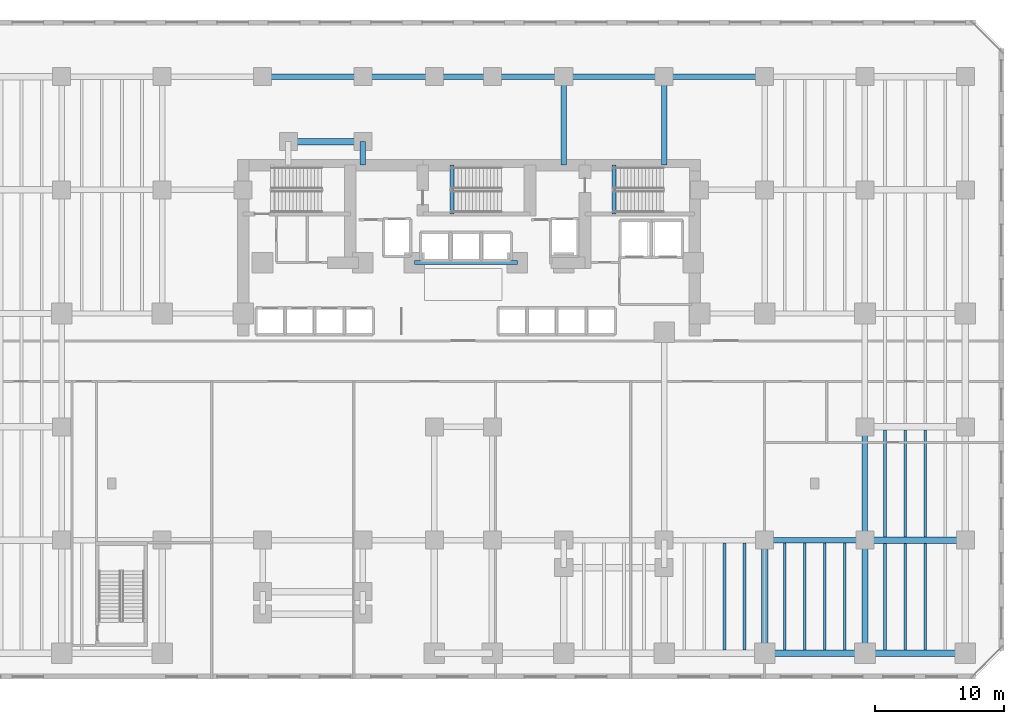
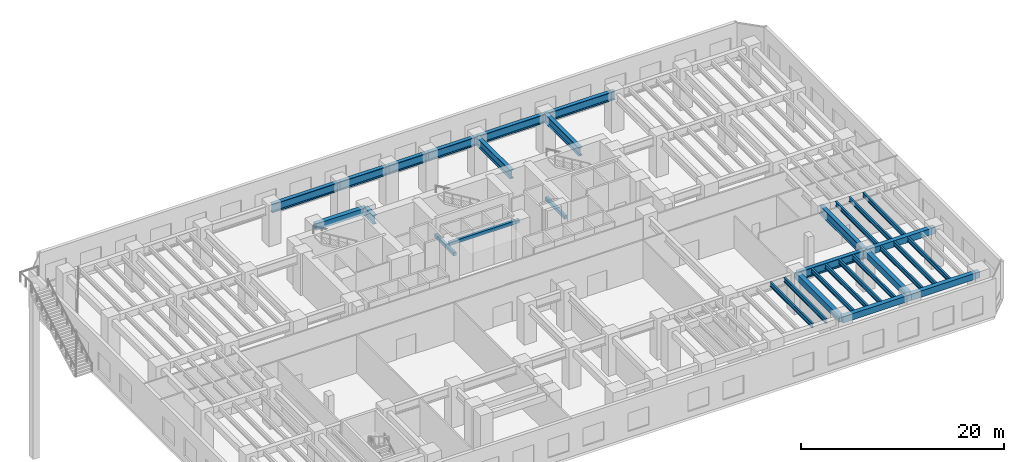
# One storey, part 5 of 20: 32 beams.
"""IFC4 building model written with IfcOpenShell, lengths in metres."""

from ifc_helpers import new_model, si_unit, direction, frame, origin, origin_2d, place, context, subcontext, project, spatial, rectangle, i_section, extrude, material, material_profile, profile_set, type_object, element, save


model = new_model("IFC4")

# Units and contexts
model_context = context("Model", 3, precision=1e-05, world=origin(), true_north=direction((0.0, 1.0)))
body_context = subcontext(model_context, "Body", "Model", "MODEL_VIEW")
ifc_project = project(units=[si_unit("LENGTHUNIT", "METRE"), si_unit("AREAUNIT", "SQUARE_METRE"), si_unit("VOLUMEUNIT", "CUBIC_METRE"), si_unit("PLANEANGLEUNIT", "RADIAN"), si_unit("MASSUNIT", "GRAM", prefix="KILO")], contexts=[model_context])

# Site, building, storey
site_placement = place(None, origin())
site = spatial("IfcSite", under=ifc_project, at=site_placement, CompositionType="ELEMENT")
building_placement = place(site_placement, origin())
building = spatial("IfcBuilding", under=site, at=building_placement, Name="Kestravale Grand Hotel", CompositionType="ELEMENT")
storey_placement = place(building_placement, frame((0.0, 0.0, 15.800048828125)))
storey = spatial("IfcBuildingStorey", under=building, at=storey_placement, Name="L03", CompositionType="ELEMENT", Elevation=15.800048828125)

# Beams
ifc_material_1 = material(Name="Steel ASTM A992 Grade 50", Category="steel")
ifc_material_profile_1 = material_profile(ifc_material_1, i_section(OverallWidth=0.2099609375, OverallDepth=0.535888671875, WebThickness=0.010986328125, FlangeThickness=0.017333984375, FilletRadius=0.017578125, at=origin_2d()))
ifc_profile_set_1 = profile_set([ifc_material_profile_1], Name="Steel ASTM A992 Grade 50")
beam_type_1 = type_object("IfcBeamType", Name="B-FLR-JST21", PredefinedType="JOIST", material=ifc_profile_set_1)
for number, where, z_axis, x_axis, name in (
    (1, (59.280029296875, 2.64990234375, 4.31201171875), (0.0, 1.0, 0.0), (-1.0, 0.0, 0.0), "L03 floor joist 9-10/B-C #3"),
    (2, (60.840087890625, 2.64990234375, 4.31201171875), (0.0, 1.0, 0.0), (-1.0, 0.0, 0.0), "L03 floor joist 9-10/B-C #4"),
    (3, (63.9599609375, 2.64990234375, 4.31201171875), (0.0, 1.0, 0.0), (-1.0, 0.0, 0.0), "L03 floor joist 10-11/B-C #1"),
    (4, (65.52001953125, 2.64990234375, 4.31201171875), (0.0, 1.0, 0.0), (-1.0, 0.0, 0.0), "L03 floor joist 10-11/B-C #2"),
    (5, (67.080078125, 2.64990234375, 4.31201171875), (0.0, 1.0, 0.0), (-1.0, 0.0, 0.0), "L03 floor joist 10-11/B-C #3"),
    (6, (68.639892578125, 2.64990234375, 4.31201171875), (0.0, 1.0, 0.0), (-1.0, 0.0, 0.0), "L03 floor joist 10-11/B-C #4"),
):
    element("IfcBeam", number, at=place(storey_placement, frame(where, z_axis=z_axis, x_axis=x_axis)), inside=storey, type_object=beam_type_1, Name=name, PredefinedType="JOIST", context=body_context, shape_type="SweptSolid", body=[
        extrude(i_section(OverallWidth=0.2099609375, OverallDepth=0.535888671875, WebThickness=0.010986328125, FlangeThickness=0.017333984375, FilletRadius=0.017578125, at=origin_2d()), origin(), (0.0, 0.0, 1.0), 8.336669921875),
    ])
for number, where, z_axis, x_axis, name in (
    (7, (71.760009765625, 2.64990234375, 4.31201171875), (0.0, 1.0, 0.0), (-1.0, 0.0, 0.0), "L03 floor joist 11-12/B-C #1"),
    (8, (73.320068359375, 2.64990234375, 4.31201171875), (0.0, 1.0, 0.0), (-1.0, 0.0, 0.0), "L03 floor joist 11-12/B-C #2"),
    (9, (74.8798828125, 2.64990234375, 4.31201171875), (0.0, 1.0, 0.0), (-1.0, 0.0, 0.0), "L03 floor joist 11-12/B-C #3"),
    (10, (71.760009765625, 11.449951171875, 4.31201171875), (0.0, 1.0, 0.0), (-1.0, 0.0, 0.0), "L03 floor joist 11-12/C-D #1"),
    (11, (73.320068359375, 11.449951171875, 4.31201171875), (0.0, 1.0, 0.0), (-1.0, 0.0, 0.0), "L03 floor joist 11-12/C-D #2"),
    (12, (74.8798828125, 11.449951171875, 4.31201171875), (0.0, 1.0, 0.0), (-1.0, 0.0, 0.0), "L03 floor joist 11-12/C-D #3"),
):
    element("IfcBeam", number, at=place(storey_placement, frame(where, z_axis=z_axis, x_axis=x_axis)), inside=storey, type_object=beam_type_1, Name=name, PredefinedType="JOIST", context=body_context, shape_type="SweptSolid", body=[
        extrude(i_section(OverallWidth=0.2099609375, OverallDepth=0.535888671875, WebThickness=0.010986328125, FlangeThickness=0.017333984375, FilletRadius=0.017578125, at=origin_2d()), origin(), (0.0, 0.0, 1.0), 8.300048828125),
    ])
ifc_material_2 = material(Name="Concrete f'c 45 MPa", Category="concrete")
ifc_material_profile_2 = material_profile(ifc_material_2, rectangle(XDim=0.300048828125, YDim=0.39990234375, at=origin_2d()))
ifc_profile_set_2 = profile_set([ifc_material_profile_2], Name="Concrete f'c 45 MPa")
beam_type_2 = type_object("IfcBeamType", Name="B-FLR-LNT400", PredefinedType="LINTEL", material=ifc_profile_set_2)
beam_1_placement = place(storey_placement, frame((35.199951171875, 32.75, 4.3798828125), z_axis=(1.0, 0.0, 0.0), x_axis=(0.0, 1.0, 0.0)))
element("IfcBeam", 13, at=beam_1_placement, inside=storey, type_object=beam_type_2, Name="L03 core portal header lintel", PredefinedType="LINTEL", context=body_context, shape_type="SweptSolid", body=[
    extrude(rectangle(XDim=0.300048828125, YDim=0.39990234375, at=origin_2d()), origin(), (0.0, 0.0, 1.0), 8.0),
])
for number, where, z_axis, x_axis, name in (
    (14, (38.110107421875, 36.52001953125, -0.199951171875), (0.0, 1.0, 0.0), (-1.0, 0.0, 0.0), "L03 ST2 flight bottom header beam"),
    (15, (50.7099609375, 36.52001953125, -0.199951171875), (0.0, 1.0, 0.0), (-1.0, 0.0, 0.0), "L03 ST3 flight bottom header beam"),
):
    element("IfcBeam", number, at=place(storey_placement, frame(where, z_axis=z_axis, x_axis=x_axis)), inside=storey, type_object=beam_type_2, Name=name, PredefinedType="LINTEL", context=body_context, shape_type="SweptSolid", body=[
        extrude(rectangle(XDim=0.300048828125, YDim=0.39990234375, at=origin_2d()), origin(), (0.0, 0.0, 1.0), 3.800048828125),
    ])
ifc_material_3 = material(Name="Concrete f'c 45 MPa", Category="concrete")
ifc_material_profile_3 = material_profile(ifc_material_3, rectangle(XDim=0.5, YDim=0.75, at=origin_2d()))
ifc_profile_set_3 = profile_set([ifc_material_profile_3], Name="Concrete f'c 45 MPa")
beam_type_3 = type_object("IfcBeamType", Name="B-FLR-RC750", PredefinedType="SPANDREL", material=ifc_profile_set_3)
for number, where, z_axis, x_axis, name in (
    (16, (62.39990234375, 2.39990234375, 4.204833984375), (1.0, 0.0, 0.0), (0.0, 1.0, 0.0), "L03 spandrel B:10-11"),
    (17, (70.199951171875, 2.39990234375, 4.204833984375), (1.0, 0.0, 0.0), (0.0, 1.0, 0.0), "L03 spandrel B:11-12"),
    (18, (70.199951171875, 11.199951171875, 4.204833984375), (1.0, 0.0, 0.0), (0.0, 1.0, 0.0), "L03 spandrel C:11-12"),
):
    element("IfcBeam", number, at=place(storey_placement, frame(where, z_axis=z_axis, x_axis=x_axis)), inside=storey, type_object=beam_type_3, Name=name, PredefinedType="SPANDREL", context=body_context, shape_type="SweptSolid", body=[
        extrude(rectangle(XDim=0.5, YDim=0.75, at=origin_2d()), origin(), (0.0, 0.0, 1.0), 7.800048828125),
    ])
beam_2_placement = place(storey_placement, frame((25.39990234375, 42.14990234375, 4.204833984375), z_axis=(1.0, 0.0, 0.0), x_axis=(0.0, 1.0, 0.0)))
element("IfcBeam", 19, at=beam_2_placement, inside=storey, type_object=beam_type_3, Name="L03 perimeter tie spandrel FN:4-5", PredefinedType="SPANDREL", context=body_context, shape_type="SweptSolid", body=[
    extrude(rectangle(XDim=0.5, YDim=0.75, at=origin_2d()), origin(), (0.0, 0.0, 1.0), 5.800048828125),
])
for number, where, z_axis, x_axis, name in (
    (20, (62.39990234375, 2.39990234375, 4.204833984375), (0.0, 1.0, 0.0), (-1.0, 0.0, 0.0), "L03 spandrel 10:B-C"),
    (21, (70.199951171875, 2.39990234375, 4.204833984375), (0.0, 1.0, 0.0), (-1.0, 0.0, 0.0), "L03 spandrel 11:B-C"),
):
    element("IfcBeam", number, at=place(storey_placement, frame(where, z_axis=z_axis, x_axis=x_axis)), inside=storey, type_object=beam_type_3, Name=name, PredefinedType="SPANDREL", context=body_context, shape_type="SweptSolid", body=[
        extrude(rectangle(XDim=0.5, YDim=0.75, at=origin_2d()), origin(), (0.0, 0.0, 1.0), 8.800048828125),
    ])
ifc_material_4 = material(Name="Steel ASTM A992 Grade 50", Category="steel")
ifc_material_profile_4 = material_profile(ifc_material_4, i_section(OverallWidth=0.427001953125, OverallDepth=1.0400390625, WebThickness=0.031005859375, FlangeThickness=0.055908203125, FilletRadius=0.028076171875, at=origin_2d()))
ifc_profile_set_4 = profile_set([ifc_material_profile_4], Name="Steel ASTM A992 Grade 50")
beam_type_4 = type_object("IfcBeamType", Name="B-GRD-W40", PredefinedType="BEAM", material=ifc_profile_set_4)
for number, where, z_axis, x_axis, name in (
    (22, (62.39990234375, 11.199951171875, 4.06005859375), (1.0, 0.0, 0.0), (0.0, 1.0, 0.0), "L03 girder C:10-11"),
    (23, (23.39990234375, 47.199951171875, 4.06005859375), (1.0, 0.0, 0.0), (0.0, 1.0, 0.0), "L03 girder G:4-5"),
):
    element("IfcBeam", number, at=place(storey_placement, frame(where, z_axis=z_axis, x_axis=x_axis)), inside=storey, type_object=beam_type_4, Name=name, PredefinedType="BEAM", context=body_context, shape_type="SweptSolid", body=[
        extrude(i_section(OverallWidth=0.427001953125, OverallDepth=1.0400390625, WebThickness=0.031005859375, FlangeThickness=0.055908203125, FilletRadius=0.028076171875, at=origin_2d()), origin(), (0.0, 0.0, 1.0), 7.800048828125),
    ])
beam_3_placement = place(storey_placement, frame((31.199951171875, 47.199951171875, 4.06005859375), z_axis=(1.0, 0.0, 0.0), x_axis=(0.0, 1.0, 0.0)))
element("IfcBeam", 24, at=beam_3_placement, inside=storey, type_object=beam_type_4, Name="L03 girder G:5-6", PredefinedType="BEAM", context=body_context, shape_type="SweptSolid", body=[
    extrude(i_section(OverallWidth=0.427001953125, OverallDepth=1.0400390625, WebThickness=0.031005859375, FlangeThickness=0.055908203125, FilletRadius=0.028076171875, at=origin_2d()), origin(), (0.0, 0.0, 1.0), 5.550048828125),
])
beam_4_placement = place(storey_placement, frame((36.75, 47.199951171875, 4.06005859375), z_axis=(1.0, 0.0, 0.0), x_axis=(0.0, 1.0, 0.0)))
element("IfcBeam", 25, at=beam_4_placement, inside=storey, type_object=beam_type_4, Name="L03 girder G:6-7", PredefinedType="BEAM", context=body_context, shape_type="SweptSolid", body=[
    extrude(i_section(OverallWidth=0.427001953125, OverallDepth=1.0400390625, WebThickness=0.031005859375, FlangeThickness=0.055908203125, FilletRadius=0.028076171875, at=origin_2d()), origin(), (0.0, 0.0, 1.0), 4.5),
])
beam_5_placement = place(storey_placement, frame((41.25, 47.199951171875, 4.06005859375), z_axis=(1.0, 0.0, 0.0), x_axis=(0.0, 1.0, 0.0)))
element("IfcBeam", 26, at=beam_5_placement, inside=storey, type_object=beam_type_4, Name="L03 girder G:7-8", PredefinedType="BEAM", context=body_context, shape_type="SweptSolid", body=[
    extrude(i_section(OverallWidth=0.427001953125, OverallDepth=1.0400390625, WebThickness=0.031005859375, FlangeThickness=0.055908203125, FilletRadius=0.028076171875, at=origin_2d()), origin(), (0.0, 0.0, 1.0), 5.550048828125),
])
beam_6_placement = place(storey_placement, frame((46.800048828125, 47.199951171875, 4.06005859375), z_axis=(1.0, 0.0, 0.0), x_axis=(0.0, 1.0, 0.0)))
element("IfcBeam", 27, at=beam_6_placement, inside=storey, type_object=beam_type_4, Name="L03 girder G:8-9", PredefinedType="BEAM", context=body_context, shape_type="SweptSolid", body=[
    extrude(i_section(OverallWidth=0.427001953125, OverallDepth=1.0400390625, WebThickness=0.031005859375, FlangeThickness=0.055908203125, FilletRadius=0.028076171875, at=origin_2d()), origin(), (0.0, 0.0, 1.0), 7.800048828125),
])
beam_7_placement = place(storey_placement, frame((54.60009765625, 47.199951171875, 4.06005859375), z_axis=(1.0, 0.0, 0.0), x_axis=(0.0, 1.0, 0.0)))
element("IfcBeam", 28, at=beam_7_placement, inside=storey, type_object=beam_type_4, Name="L03 girder G:9-10", PredefinedType="BEAM", context=body_context, shape_type="SweptSolid", body=[
    extrude(i_section(OverallWidth=0.427001953125, OverallDepth=1.0400390625, WebThickness=0.031005859375, FlangeThickness=0.055908203125, FilletRadius=0.028076171875, at=origin_2d()), origin(), (0.0, 0.0, 1.0), 7.7998046875),
])
beam_8_placement = place(storey_placement, frame((70.199951171875, 11.199951171875, 4.06005859375), z_axis=(0.0, 1.0, 0.0), x_axis=(-1.0, 0.0, 0.0)))
element("IfcBeam", 29, at=beam_8_placement, inside=storey, type_object=beam_type_4, Name="L03 girder 11:C-D", PredefinedType="BEAM", context=body_context, shape_type="SweptSolid", body=[
    extrude(i_section(OverallWidth=0.427001953125, OverallDepth=1.0400390625, WebThickness=0.031005859375, FlangeThickness=0.055908203125, FilletRadius=0.028076171875, at=origin_2d()), origin(), (0.0, 0.0, 1.0), 8.800048828125),
])
beam_9_placement = place(storey_placement, frame((31.199951171875, 40.320068359375, 4.06005859375), z_axis=(0.0, 1.0, 0.0), x_axis=(-1.0, 0.0, 0.0)))
element("IfcBeam", 30, at=beam_9_placement, inside=storey, type_object=beam_type_4, Name="L03 north wing tie girder 5:CN-FN", PredefinedType="BEAM", context=body_context, shape_type="SweptSolid", body=[
    extrude(i_section(OverallWidth=0.427001953125, OverallDepth=1.0400390625, WebThickness=0.031005859375, FlangeThickness=0.055908203125, FilletRadius=0.028076171875, at=origin_2d()), origin(), (0.0, 0.0, 1.0), 1.829833984375),
])
for number, where, z_axis, x_axis, name in (
    (31, (46.800048828125, 40.320068359375, 4.06005859375), (0.0, 1.0, 0.0), (-1.0, 0.0, 0.0), "L03 north wing tie girder 8:CN-G"),
    (32, (54.60009765625, 40.320068359375, 4.06005859375), (0.0, 1.0, 0.0), (-1.0, 0.0, 0.0), "L03 north wing tie girder 9:CN-G"),
):
    element("IfcBeam", number, at=place(storey_placement, frame(where, z_axis=z_axis, x_axis=x_axis)), inside=storey, type_object=beam_type_4, Name=name, PredefinedType="BEAM", context=body_context, shape_type="SweptSolid", body=[
        extrude(i_section(OverallWidth=0.427001953125, OverallDepth=1.0400390625, WebThickness=0.031005859375, FlangeThickness=0.055908203125, FilletRadius=0.028076171875, at=origin_2d()), origin(), (0.0, 0.0, 1.0), 6.8798828125),
    ])

save(model, "model.ifc")
